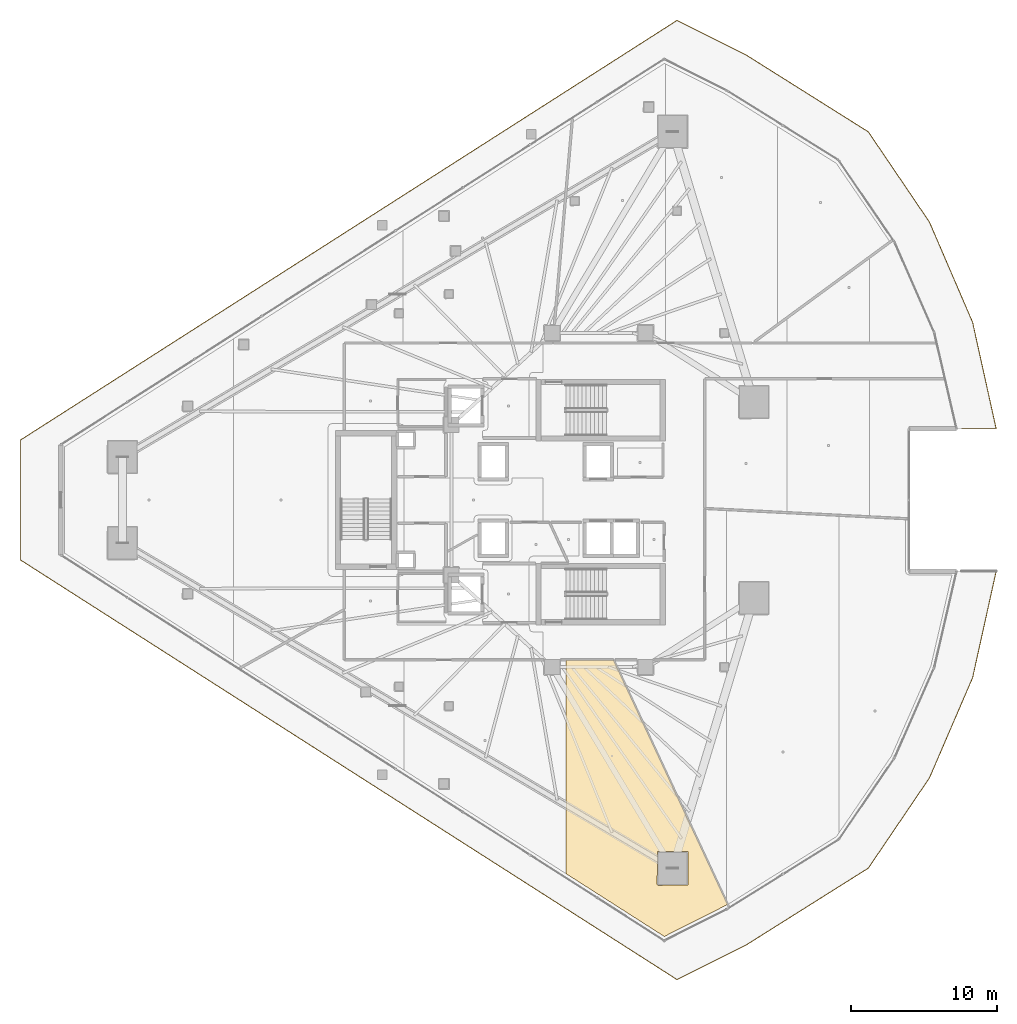
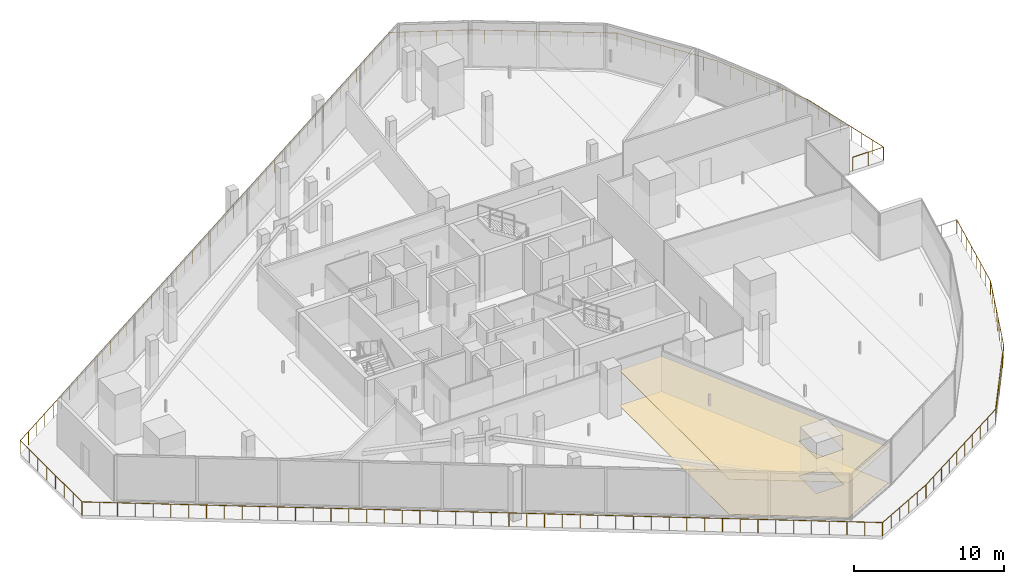
# One storey, part 36 of 40: 2 coverings, 1 railing.
"""IFC4 building model written with IfcOpenShell, lengths in metres."""

from ifc_helpers import new_model, si_unit, direction, frame, origin, origin_2d, place, context, subcontext, project, spatial, polyline, circle, outline, extrude, material, layer, layer_set, type_object, element, save


model = new_model("IFC4")

# Units and contexts
model_context = context("Model", 3, precision=1e-05, world=origin(), true_north=direction((0.0, 1.0)))
body_context = subcontext(model_context, "Body", "Model", "MODEL_VIEW")
ifc_project = project(units=[si_unit("LENGTHUNIT", "METRE"), si_unit("AREAUNIT", "SQUARE_METRE"), si_unit("VOLUMEUNIT", "CUBIC_METRE"), si_unit("PLANEANGLEUNIT", "RADIAN"), si_unit("MASSUNIT", "GRAM", prefix="KILO")], contexts=[model_context])

# Site, building, storey
site_placement = place(None, origin())
site = spatial("IfcSite", under=ifc_project, at=site_placement, CompositionType="ELEMENT")
building_placement = place(site_placement, origin())
building = spatial("IfcBuilding", under=site, at=building_placement, Name="Qorvath Tower", CompositionType="ELEMENT")
storey_placement = place(building_placement, frame((0.0, 0.0, 138.14990234375)))
storey = spatial("IfcBuildingStorey", under=building, at=storey_placement, Name="L31", CompositionType="ELEMENT", Elevation=138.14990234375)

# Coverings
ifc_material_1 = material(Name="Acoustic mineral fibre ceiling tile", Category="gypsum")
ifc_layer_1 = layer(ifc_material_1, 0.030029296875)
ifc_layer_set_1 = layer_set([ifc_layer_1], Name="COV-CEIL")
covering_type_1 = type_object("IfcCoveringType", Name="COV-CEIL", PredefinedType="CEILING", material=ifc_layer_set_1)
covering_1_placement = place(storey_placement, frame((0.0, 0.0, 2.85009765625)))
element("IfcCovering", 1, at=covering_1_placement, inside=storey, type_object=covering_type_1, Name="L31 Suspended Acoustic Ceiling 016", PredefinedType="CEILING", context=body_context, shape_type="SweptSolid", body=[
    extrude(outline(polyline([(-11.5751953125, -27.7236328125), (-19.392333984375, -10.962890625), (-22.65771484375, -10.962890625), (-22.65771484375, -25.60546875), (-15.91552734375, -29.914794921875), (-11.5751953125, -27.7236328125)]), holes=[polyline([(-16.404296875, -26.34619140625), (-16.38671875, -24.103759765625), (-14.3017578125, -24.103759765625), (-14.3017578125, -26.388427734375), (-16.34423828125, -26.406005859375), (-16.404296875, -26.34619140625)])]), origin(), (0.0, 0.0, 1.0), 0.030029296875),
])
ifc_material_2 = material(Name="Low-VOC modular carpet tile", Category="textile")
ifc_layer_2 = layer(ifc_material_2, 0.014892578125)
ifc_layer_set_2 = layer_set([ifc_layer_2], Name="COV-FLOOR-CPT")
covering_type_2 = type_object("IfcCoveringType", Name="COV-FLOOR-CPT", PredefinedType="FLOORING", material=ifc_layer_set_2)
covering_2_placement = place(storey_placement, origin())
element("IfcCovering", 2, at=covering_2_placement, inside=storey, type_object=covering_type_2, Name="L31 Floor Finish 016", PredefinedType="FLOORING", context=body_context, shape_type="SweptSolid", body=[
    extrude(outline(polyline([(-11.5751953125, -27.7236328125), (-19.392333984375, -10.962890625), (-22.65771484375, -10.962890625), (-22.65771484375, -25.60546875), (-15.91552734375, -29.914794921875), (-11.5751953125, -27.7236328125)]), holes=[polyline([(-16.404296875, -26.34619140625), (-16.38671875, -24.103759765625), (-14.3017578125, -24.103759765625), (-14.3017578125, -26.388427734375), (-16.34423828125, -26.406005859375), (-16.404296875, -26.34619140625)])]), origin(), (0.0, 0.0, 1.0), 0.01513671875),
])

# Railing
ifc_material_3 = material(Name="Laminated safety glass and stainless steel AISI 316", Category="steel")
railing_type = type_object("IfcRailingType", Name="RL-EXT-GRD", PredefinedType="GUARDRAIL", material=ifc_material_3)
railing_placement = place(storey_placement, frame((6.833984375, -4.881591796875, 0.0)))
element("IfcRailing", 3, at=railing_placement, inside=storey, type_object=railing_type, Name="Loggia Perimeter Guardrail L31-1.1", PredefinedType="GUARDRAIL", context=body_context, shape_type="SweptSolid", body=[
    extrude(circle(Radius=0.02392578125, at=origin_2d()), frame((0.0, 0.0, 1.09619140625), z_axis=(-0.216103917882, -0.976370368598, 0.0), x_axis=(0.976370368598, -0.216103917882, 0.0)), (0.0, 0.0, 1.0), 7.4755859375),
    extrude(circle(Radius=0.02392578125, at=origin_2d()), frame((-1.615478515625, -7.298828125, 1.09619140625), z_axis=(-0.395483606656, -0.91847303546, 0.0), x_axis=(0.91847303546, -0.395483606656, 0.0)), (0.0, 0.0, 1.0), 7.47509765625),
    extrude(circle(Radius=0.02392578125, at=origin_2d()), frame((-4.57177734375, -14.16455078125, 1.09619140625), z_axis=(-0.560835146382, -0.82792749597, 0.0), x_axis=(0.82792749597, -0.560835146382, 0.0)), (0.0, 0.0, 1.0), 7.475341796875),
    extrude(circle(Radius=0.02392578125, at=origin_2d()), frame((-8.76416015625, -20.353515625, 1.09619140625), z_axis=(-0.8464853898, -0.53241195033, 0.0), x_axis=(0.53241195033, -0.8464853898, 0.0)), (0.0, 0.0, 1.0), 9.940673828125),
    extrude(circle(Radius=0.02392578125, at=origin_2d()), frame((-17.1787109375, -25.64599609375, 1.09619140625), z_axis=(-0.894445787706, -0.447176400154, 0.0), x_axis=(0.447176400154, -0.894445787706, 0.0)), (0.0, 0.0, 1.0), 5.2509765625),
    extrude(circle(Radius=0.02392578125, at=origin_2d()), frame((-21.87548828125, -27.994140625, 1.09619140625), z_axis=(-0.842605755812, 0.538530909301, 0.0), x_axis=(-0.538530909301, -0.842605755812, 0.0)), (0.0, 0.0, 1.0), 53.416015625),
    extrude(circle(Radius=0.02392578125, at=origin_2d()), frame((-66.884033203125, 0.77197265625, 1.09619140625), z_axis=(0.0, 1.0, 0.0), x_axis=(-1.0, 0.0, 0.0)), (0.0, 0.0, 1.0), 8.21923828125),
    extrude(circle(Radius=0.02392578125, at=origin_2d()), frame((-66.884033203125, 8.9912109375, 1.09619140625), z_axis=(0.842605755812, 0.538530909301, 0.0), x_axis=(-0.538530909301, 0.842605755812, 0.0)), (0.0, 0.0, 1.0), 53.416015625),
    extrude(circle(Radius=0.02392578125, at=origin_2d()), frame((-21.87548828125, 37.75732421875, 1.09619140625), z_axis=(0.894445787706, -0.447176400154, 0.0), x_axis=(0.447176400154, 0.894445787706, 0.0)), (0.0, 0.0, 1.0), 5.2509765625),
    extrude(circle(Radius=0.02392578125, at=origin_2d()), frame((-17.1787109375, 35.4091796875, 1.09619140625), z_axis=(0.8464853898, -0.53241195033, 0.0), x_axis=(0.53241195033, 0.8464853898, 0.0)), (0.0, 0.0, 1.0), 9.940673828125),
    extrude(circle(Radius=0.02392578125, at=origin_2d()), frame((-8.76416015625, 30.11669921875, 1.09619140625), z_axis=(0.560835146382, -0.82792749597, 0.0), x_axis=(0.82792749597, 0.560835146382, 0.0)), (0.0, 0.0, 1.0), 7.475341796875),
    extrude(circle(Radius=0.02392578125, at=origin_2d()), frame((-4.57177734375, 23.927734375, 1.09619140625), z_axis=(0.395483606656, -0.91847303546, 0.0), x_axis=(0.91847303546, 0.395483606656, 0.0)), (0.0, 0.0, 1.0), 7.47509765625),
    extrude(circle(Radius=0.02392578125, at=origin_2d()), frame((-1.615478515625, 17.06201171875, 1.09619140625), z_axis=(0.216103917882, -0.976370368598, 0.0), x_axis=(0.976370368598, 0.216103917882, 0.0)), (0.0, 0.0, 1.0), 7.4755859375),
    extrude(circle(Radius=0.02392578125, at=origin_2d()), frame((0.0, 9.76318359375, 1.09619140625), z_axis=(-1.0, 0.0, 0.0), x_axis=(0.0, -1.0, 0.0)), (0.0, 0.0, 1.0), 2.36669921875),
    extrude(circle(Radius=0.02099609375, at=origin_2d()), origin(), (0.0, 0.0, 1.0), 1.072021484375),
    extrude(circle(Radius=0.02099609375, at=origin_2d()), frame((-0.230712890625, -1.042724609375, 0.0)), (0.0, 0.0, 1.0), 1.072021484375),
    extrude(circle(Radius=0.02099609375, at=origin_2d()), frame((-0.461669921875, -2.08544921875, 0.0)), (0.0, 0.0, 1.0), 1.072021484375),
    extrude(circle(Radius=0.02099609375, at=origin_2d()), frame((-0.6923828125, -3.128173828125, 0.0)), (0.0, 0.0, 1.0), 1.072021484375),
    extrude(circle(Radius=0.02099609375, at=origin_2d()), frame((-0.923095703125, -4.170654296875, 0.0)), (0.0, 0.0, 1.0), 1.072021484375),
    extrude(circle(Radius=0.02099609375, at=origin_2d()), frame((-1.15380859375, -5.21337890625, 0.0)), (0.0, 0.0, 1.0), 1.072021484375),
    extrude(circle(Radius=0.02099609375, at=origin_2d()), frame((-1.384765625, -6.256103515625, 0.0)), (0.0, 0.0, 1.0), 1.072021484375),
    extrude(circle(Radius=0.02099609375, at=origin_2d()), frame((-1.615478515625, -7.298828125, 0.0)), (0.0, 0.0, 1.0), 1.072021484375),
    extrude(circle(Radius=0.02099609375, at=origin_2d()), frame((-2.037841796875, -8.279541015625, 0.0)), (0.0, 0.0, 1.0), 1.072021484375),
    extrude(circle(Radius=0.02099609375, at=origin_2d()), frame((-2.460205078125, -9.260498046875, 0.0)), (0.0, 0.0, 1.0), 1.072021484375),
    extrude(circle(Radius=0.02099609375, at=origin_2d()), frame((-2.882568359375, -10.2412109375, 0.0)), (0.0, 0.0, 1.0), 1.072021484375),
    extrude(circle(Radius=0.02099609375, at=origin_2d()), frame((-3.3046875, -11.22216796875, 0.0)), (0.0, 0.0, 1.0), 1.072021484375),
    extrude(circle(Radius=0.02099609375, at=origin_2d()), frame((-3.72705078125, -12.202880859375, 0.0)), (0.0, 0.0, 1.0), 1.072021484375),
    extrude(circle(Radius=0.02099609375, at=origin_2d()), frame((-4.1494140625, -13.183837890625, 0.0)), (0.0, 0.0, 1.0), 1.072021484375),
    extrude(circle(Radius=0.02099609375, at=origin_2d()), frame((-4.57177734375, -14.16455078125, 0.0)), (0.0, 0.0, 1.0), 1.072021484375),
    extrude(circle(Radius=0.02099609375, at=origin_2d()), frame((-5.170654296875, -15.048583984375, 0.0)), (0.0, 0.0, 1.0), 1.072021484375),
    extrude(circle(Radius=0.02099609375, at=origin_2d()), frame((-5.76953125, -15.932861328125, 0.0)), (0.0, 0.0, 1.0), 1.072021484375),
    extrude(circle(Radius=0.02099609375, at=origin_2d()), frame((-6.368408203125, -16.81689453125, 0.0)), (0.0, 0.0, 1.0), 1.072021484375),
    extrude(circle(Radius=0.02099609375, at=origin_2d()), frame((-6.967529296875, -17.701171875, 0.0)), (0.0, 0.0, 1.0), 1.072021484375),
    extrude(circle(Radius=0.02099609375, at=origin_2d()), frame((-7.56640625, -18.585205078125, 0.0)), (0.0, 0.0, 1.0), 1.072021484375),
    extrude(circle(Radius=0.02099609375, at=origin_2d()), frame((-8.165283203125, -19.469482421875, 0.0)), (0.0, 0.0, 1.0), 1.072021484375),
    extrude(circle(Radius=0.02099609375, at=origin_2d()), frame((-8.76416015625, -20.353515625, 0.0)), (0.0, 0.0, 1.0), 1.072021484375),
    extrude(circle(Radius=0.02099609375, at=origin_2d()), frame((-9.69921875, -20.941650390625, 0.0)), (0.0, 0.0, 1.0), 1.072021484375),
    extrude(circle(Radius=0.02099609375, at=origin_2d()), frame((-10.634033203125, -21.529541015625, 0.0)), (0.0, 0.0, 1.0), 1.072021484375),
    extrude(circle(Radius=0.02099609375, at=origin_2d()), frame((-11.569091796875, -22.11767578125, 0.0)), (0.0, 0.0, 1.0), 1.072021484375),
    extrude(circle(Radius=0.02099609375, at=origin_2d()), frame((-12.50390625, -22.705810546875, 0.0)), (0.0, 0.0, 1.0), 1.072021484375),
    extrude(circle(Radius=0.02099609375, at=origin_2d()), frame((-13.43896484375, -23.293701171875, 0.0)), (0.0, 0.0, 1.0), 1.072021484375),
    extrude(circle(Radius=0.02099609375, at=origin_2d()), frame((-14.373779296875, -23.8818359375, 0.0)), (0.0, 0.0, 1.0), 1.072021484375),
    extrude(circle(Radius=0.02099609375, at=origin_2d()), frame((-15.308837890625, -24.469970703125, 0.0)), (0.0, 0.0, 1.0), 1.072021484375),
    extrude(circle(Radius=0.02099609375, at=origin_2d()), frame((-16.24365234375, -25.057861328125, 0.0)), (0.0, 0.0, 1.0), 1.072021484375),
    extrude(circle(Radius=0.02099609375, at=origin_2d()), frame((-17.1787109375, -25.64599609375, 0.0)), (0.0, 0.0, 1.0), 1.072021484375),
    extrude(circle(Radius=0.02099609375, at=origin_2d()), frame((-18.1181640625, -26.11572265625, 0.0)), (0.0, 0.0, 1.0), 1.072021484375),
    extrude(circle(Radius=0.02099609375, at=origin_2d()), frame((-19.057373046875, -26.585205078125, 0.0)), (0.0, 0.0, 1.0), 1.072021484375),
    extrude(circle(Radius=0.02099609375, at=origin_2d()), frame((-19.996826171875, -27.054931640625, 0.0)), (0.0, 0.0, 1.0), 1.072021484375),
    extrude(circle(Radius=0.02099609375, at=origin_2d()), frame((-20.93603515625, -27.5244140625, 0.0)), (0.0, 0.0, 1.0), 1.072021484375),
    extrude(circle(Radius=0.02099609375, at=origin_2d()), frame((-21.87548828125, -27.994140625, 0.0)), (0.0, 0.0, 1.0), 1.072021484375),
    extrude(circle(Radius=0.02099609375, at=origin_2d()), frame((-22.875732421875, -27.35498046875, 0.0)), (0.0, 0.0, 1.0), 1.072021484375),
    extrude(circle(Radius=0.02099609375, at=origin_2d()), frame((-23.8759765625, -26.715576171875, 0.0)), (0.0, 0.0, 1.0), 1.072021484375),
    extrude(circle(Radius=0.02099609375, at=origin_2d()), frame((-24.8759765625, -26.076416015625, 0.0)), (0.0, 0.0, 1.0), 1.072021484375),
    extrude(circle(Radius=0.02099609375, at=origin_2d()), frame((-25.876220703125, -25.437255859375, 0.0)), (0.0, 0.0, 1.0), 1.072021484375),
    extrude(circle(Radius=0.02099609375, at=origin_2d()), frame((-26.87646484375, -24.7978515625, 0.0)), (0.0, 0.0, 1.0), 1.072021484375),
    extrude(circle(Radius=0.02099609375, at=origin_2d()), frame((-27.876708984375, -24.15869140625, 0.0)), (0.0, 0.0, 1.0), 1.072021484375),
    extrude(circle(Radius=0.02099609375, at=origin_2d()), frame((-28.876708984375, -23.51953125, 0.0)), (0.0, 0.0, 1.0), 1.072021484375),
    extrude(circle(Radius=0.02099609375, at=origin_2d()), frame((-29.876953125, -22.880126953125, 0.0)), (0.0, 0.0, 1.0), 1.072021484375),
    extrude(circle(Radius=0.02099609375, at=origin_2d()), frame((-30.877197265625, -22.240966796875, 0.0)), (0.0, 0.0, 1.0), 1.072021484375),
    extrude(circle(Radius=0.02099609375, at=origin_2d()), frame((-31.87744140625, -21.6015625, 0.0)), (0.0, 0.0, 1.0), 1.072021484375),
    extrude(circle(Radius=0.02099609375, at=origin_2d()), frame((-32.877685546875, -20.96240234375, 0.0)), (0.0, 0.0, 1.0), 1.072021484375),
    extrude(circle(Radius=0.02099609375, at=origin_2d()), frame((-33.877685546875, -20.3232421875, 0.0)), (0.0, 0.0, 1.0), 1.072021484375),
    extrude(circle(Radius=0.02099609375, at=origin_2d()), frame((-34.8779296875, -19.683837890625, 0.0)), (0.0, 0.0, 1.0), 1.072021484375),
    extrude(circle(Radius=0.02099609375, at=origin_2d()), frame((-35.878173828125, -19.044677734375, 0.0)), (0.0, 0.0, 1.0), 1.072021484375),
    extrude(circle(Radius=0.02099609375, at=origin_2d()), frame((-36.87841796875, -18.405517578125, 0.0)), (0.0, 0.0, 1.0), 1.072021484375),
    extrude(circle(Radius=0.02099609375, at=origin_2d()), frame((-37.87841796875, -17.76611328125, 0.0)), (0.0, 0.0, 1.0), 1.072021484375),
    extrude(circle(Radius=0.02099609375, at=origin_2d()), frame((-38.878662109375, -17.126953125, 0.0)), (0.0, 0.0, 1.0), 1.072021484375),
    extrude(circle(Radius=0.02099609375, at=origin_2d()), frame((-39.87890625, -16.48779296875, 0.0)), (0.0, 0.0, 1.0), 1.072021484375),
    extrude(circle(Radius=0.02099609375, at=origin_2d()), frame((-40.879150390625, -15.848388671875, 0.0)), (0.0, 0.0, 1.0), 1.072021484375),
    extrude(circle(Radius=0.02099609375, at=origin_2d()), frame((-41.87939453125, -15.209228515625, 0.0)), (0.0, 0.0, 1.0), 1.072021484375),
    extrude(circle(Radius=0.02099609375, at=origin_2d()), frame((-42.87939453125, -14.570068359375, 0.0)), (0.0, 0.0, 1.0), 1.072021484375),
    extrude(circle(Radius=0.02099609375, at=origin_2d()), frame((-43.879638671875, -13.9306640625, 0.0)), (0.0, 0.0, 1.0), 1.072021484375),
    extrude(circle(Radius=0.02099609375, at=origin_2d()), frame((-44.8798828125, -13.29150390625, 0.0)), (0.0, 0.0, 1.0), 1.072021484375),
    extrude(circle(Radius=0.02099609375, at=origin_2d()), frame((-45.880126953125, -12.652099609375, 0.0)), (0.0, 0.0, 1.0), 1.072021484375),
    extrude(circle(Radius=0.02099609375, at=origin_2d()), frame((-46.880126953125, -12.012939453125, 0.0)), (0.0, 0.0, 1.0), 1.072021484375),
    extrude(circle(Radius=0.02099609375, at=origin_2d()), frame((-47.88037109375, -11.373779296875, 0.0)), (0.0, 0.0, 1.0), 1.072021484375),
    extrude(circle(Radius=0.02099609375, at=origin_2d()), frame((-48.880615234375, -10.734375, 0.0)), (0.0, 0.0, 1.0), 1.072021484375),
    extrude(circle(Radius=0.02099609375, at=origin_2d()), frame((-49.880859375, -10.09521484375, 0.0)), (0.0, 0.0, 1.0), 1.072021484375),
    extrude(circle(Radius=0.02099609375, at=origin_2d()), frame((-50.881103515625, -9.4560546875, 0.0)), (0.0, 0.0, 1.0), 1.072021484375),
    extrude(circle(Radius=0.02099609375, at=origin_2d()), frame((-51.881103515625, -8.816650390625, 0.0)), (0.0, 0.0, 1.0), 1.072021484375),
    extrude(circle(Radius=0.02099609375, at=origin_2d()), frame((-52.88134765625, -8.177490234375, 0.0)), (0.0, 0.0, 1.0), 1.072021484375),
    extrude(circle(Radius=0.02099609375, at=origin_2d()), frame((-53.881591796875, -7.538330078125, 0.0)), (0.0, 0.0, 1.0), 1.072021484375),
    extrude(circle(Radius=0.02099609375, at=origin_2d()), frame((-54.8818359375, -6.89892578125, 0.0)), (0.0, 0.0, 1.0), 1.072021484375),
    extrude(circle(Radius=0.02099609375, at=origin_2d()), frame((-55.8818359375, -6.259765625, 0.0)), (0.0, 0.0, 1.0), 1.072021484375),
    extrude(circle(Radius=0.02099609375, at=origin_2d()), frame((-56.882080078125, -5.62060546875, 0.0)), (0.0, 0.0, 1.0), 1.072021484375),
    extrude(circle(Radius=0.02099609375, at=origin_2d()), frame((-57.88232421875, -4.981201171875, 0.0)), (0.0, 0.0, 1.0), 1.072021484375),
    extrude(circle(Radius=0.02099609375, at=origin_2d()), frame((-58.882568359375, -4.342041015625, 0.0)), (0.0, 0.0, 1.0), 1.072021484375),
    extrude(circle(Radius=0.02099609375, at=origin_2d()), frame((-59.8828125, -3.70263671875, 0.0)), (0.0, 0.0, 1.0), 1.072021484375),
    extrude(circle(Radius=0.02099609375, at=origin_2d()), frame((-60.8828125, -3.0634765625, 0.0)), (0.0, 0.0, 1.0), 1.072021484375),
    extrude(circle(Radius=0.02099609375, at=origin_2d()), frame((-61.883056640625, -2.42431640625, 0.0)), (0.0, 0.0, 1.0), 1.072021484375),
    extrude(circle(Radius=0.02099609375, at=origin_2d()), frame((-62.88330078125, -1.784912109375, 0.0)), (0.0, 0.0, 1.0), 1.072021484375),
    extrude(circle(Radius=0.02099609375, at=origin_2d()), frame((-63.883544921875, -1.145751953125, 0.0)), (0.0, 0.0, 1.0), 1.072021484375),
    extrude(circle(Radius=0.02099609375, at=origin_2d()), frame((-64.883544921875, -0.506591796875, 0.0)), (0.0, 0.0, 1.0), 1.072021484375),
    extrude(circle(Radius=0.02099609375, at=origin_2d()), frame((-65.8837890625, 0.1328125, 0.0)), (0.0, 0.0, 1.0), 1.072021484375),
    extrude(circle(Radius=0.02099609375, at=origin_2d()), frame((-66.884033203125, 0.77197265625, 0.0)), (0.0, 0.0, 1.0), 1.072021484375),
    extrude(circle(Radius=0.02099609375, at=origin_2d()), frame((-66.884033203125, 1.946044921875, 0.0)), (0.0, 0.0, 1.0), 1.072021484375),
    extrude(circle(Radius=0.02099609375, at=origin_2d()), frame((-66.884033203125, 3.120361328125, 0.0)), (0.0, 0.0, 1.0), 1.072021484375),
    extrude(circle(Radius=0.02099609375, at=origin_2d()), frame((-66.884033203125, 4.29443359375, 0.0)), (0.0, 0.0, 1.0), 1.072021484375),
    extrude(circle(Radius=0.02099609375, at=origin_2d()), frame((-66.884033203125, 5.46875, 0.0)), (0.0, 0.0, 1.0), 1.072021484375),
    extrude(circle(Radius=0.02099609375, at=origin_2d()), frame((-66.884033203125, 6.642822265625, 0.0)), (0.0, 0.0, 1.0), 1.072021484375),
    extrude(circle(Radius=0.02099609375, at=origin_2d()), frame((-66.884033203125, 7.817138671875, 0.0)), (0.0, 0.0, 1.0), 1.072021484375),
    extrude(circle(Radius=0.02099609375, at=origin_2d()), frame((-66.884033203125, 8.9912109375, 0.0)), (0.0, 0.0, 1.0), 1.072021484375),
    extrude(circle(Radius=0.02099609375, at=origin_2d()), frame((-65.8837890625, 9.63037109375, 0.0)), (0.0, 0.0, 1.0), 1.072021484375),
    extrude(circle(Radius=0.02099609375, at=origin_2d()), frame((-64.883544921875, 10.269775390625, 0.0)), (0.0, 0.0, 1.0), 1.072021484375),
    extrude(circle(Radius=0.02099609375, at=origin_2d()), frame((-63.883544921875, 10.908935546875, 0.0)), (0.0, 0.0, 1.0), 1.072021484375),
    extrude(circle(Radius=0.02099609375, at=origin_2d()), frame((-62.88330078125, 11.548095703125, 0.0)), (0.0, 0.0, 1.0), 1.072021484375),
    extrude(circle(Radius=0.02099609375, at=origin_2d()), frame((-61.883056640625, 12.1875, 0.0)), (0.0, 0.0, 1.0), 1.072021484375),
    extrude(circle(Radius=0.02099609375, at=origin_2d()), frame((-60.8828125, 12.82666015625, 0.0)), (0.0, 0.0, 1.0), 1.072021484375),
    extrude(circle(Radius=0.02099609375, at=origin_2d()), frame((-59.8828125, 13.4658203125, 0.0)), (0.0, 0.0, 1.0), 1.072021484375),
    extrude(circle(Radius=0.02099609375, at=origin_2d()), frame((-58.882568359375, 14.105224609375, 0.0)), (0.0, 0.0, 1.0), 1.072021484375),
    extrude(circle(Radius=0.02099609375, at=origin_2d()), frame((-57.88232421875, 14.744384765625, 0.0)), (0.0, 0.0, 1.0), 1.072021484375),
    extrude(circle(Radius=0.02099609375, at=origin_2d()), frame((-56.882080078125, 15.3837890625, 0.0)), (0.0, 0.0, 1.0), 1.072021484375),
    extrude(circle(Radius=0.02099609375, at=origin_2d()), frame((-55.8818359375, 16.02294921875, 0.0)), (0.0, 0.0, 1.0), 1.072021484375),
    extrude(circle(Radius=0.02099609375, at=origin_2d()), frame((-54.8818359375, 16.662109375, 0.0)), (0.0, 0.0, 1.0), 1.072021484375),
    extrude(circle(Radius=0.02099609375, at=origin_2d()), frame((-53.881591796875, 17.301513671875, 0.0)), (0.0, 0.0, 1.0), 1.072021484375),
    extrude(circle(Radius=0.02099609375, at=origin_2d()), frame((-52.88134765625, 17.940673828125, 0.0)), (0.0, 0.0, 1.0), 1.072021484375),
    extrude(circle(Radius=0.02099609375, at=origin_2d()), frame((-51.881103515625, 18.579833984375, 0.0)), (0.0, 0.0, 1.0), 1.072021484375),
    extrude(circle(Radius=0.02099609375, at=origin_2d()), frame((-50.881103515625, 19.21923828125, 0.0)), (0.0, 0.0, 1.0), 1.072021484375),
    extrude(circle(Radius=0.02099609375, at=origin_2d()), frame((-49.880859375, 19.8583984375, 0.0)), (0.0, 0.0, 1.0), 1.072021484375),
    extrude(circle(Radius=0.02099609375, at=origin_2d()), frame((-48.880615234375, 20.49755859375, 0.0)), (0.0, 0.0, 1.0), 1.072021484375),
    extrude(circle(Radius=0.02099609375, at=origin_2d()), frame((-47.88037109375, 21.136962890625, 0.0)), (0.0, 0.0, 1.0), 1.072021484375),
    extrude(circle(Radius=0.02099609375, at=origin_2d()), frame((-46.880126953125, 21.776123046875, 0.0)), (0.0, 0.0, 1.0), 1.072021484375),
    extrude(circle(Radius=0.02099609375, at=origin_2d()), frame((-45.880126953125, 22.415283203125, 0.0)), (0.0, 0.0, 1.0), 1.072021484375),
    extrude(circle(Radius=0.02099609375, at=origin_2d()), frame((-44.8798828125, 23.0546875, 0.0)), (0.0, 0.0, 1.0), 1.072021484375),
    extrude(circle(Radius=0.02099609375, at=origin_2d()), frame((-43.879638671875, 23.69384765625, 0.0)), (0.0, 0.0, 1.0), 1.072021484375),
    extrude(circle(Radius=0.02099609375, at=origin_2d()), frame((-42.87939453125, 24.333251953125, 0.0)), (0.0, 0.0, 1.0), 1.072021484375),
    extrude(circle(Radius=0.02099609375, at=origin_2d()), frame((-41.87939453125, 24.972412109375, 0.0)), (0.0, 0.0, 1.0), 1.072021484375),
    extrude(circle(Radius=0.02099609375, at=origin_2d()), frame((-40.879150390625, 25.611572265625, 0.0)), (0.0, 0.0, 1.0), 1.072021484375),
    extrude(circle(Radius=0.02099609375, at=origin_2d()), frame((-39.87890625, 26.2509765625, 0.0)), (0.0, 0.0, 1.0), 1.072021484375),
    extrude(circle(Radius=0.02099609375, at=origin_2d()), frame((-38.878662109375, 26.89013671875, 0.0)), (0.0, 0.0, 1.0), 1.072021484375),
    extrude(circle(Radius=0.02099609375, at=origin_2d()), frame((-37.87841796875, 27.529296875, 0.0)), (0.0, 0.0, 1.0), 1.072021484375),
    extrude(circle(Radius=0.02099609375, at=origin_2d()), frame((-36.87841796875, 28.168701171875, 0.0)), (0.0, 0.0, 1.0), 1.072021484375),
    extrude(circle(Radius=0.02099609375, at=origin_2d()), frame((-35.878173828125, 28.807861328125, 0.0)), (0.0, 0.0, 1.0), 1.072021484375),
    extrude(circle(Radius=0.02099609375, at=origin_2d()), frame((-34.8779296875, 29.447021484375, 0.0)), (0.0, 0.0, 1.0), 1.072021484375),
    extrude(circle(Radius=0.02099609375, at=origin_2d()), frame((-33.877685546875, 30.08642578125, 0.0)), (0.0, 0.0, 1.0), 1.072021484375),
    extrude(circle(Radius=0.02099609375, at=origin_2d()), frame((-32.877685546875, 30.7255859375, 0.0)), (0.0, 0.0, 1.0), 1.072021484375),
    extrude(circle(Radius=0.02099609375, at=origin_2d()), frame((-31.87744140625, 31.36474609375, 0.0)), (0.0, 0.0, 1.0), 1.072021484375),
    extrude(circle(Radius=0.02099609375, at=origin_2d()), frame((-30.877197265625, 32.004150390625, 0.0)), (0.0, 0.0, 1.0), 1.072021484375),
    extrude(circle(Radius=0.02099609375, at=origin_2d()), frame((-29.876953125, 32.643310546875, 0.0)), (0.0, 0.0, 1.0), 1.072021484375),
    extrude(circle(Radius=0.02099609375, at=origin_2d()), frame((-28.876708984375, 33.28271484375, 0.0)), (0.0, 0.0, 1.0), 1.072021484375),
    extrude(circle(Radius=0.02099609375, at=origin_2d()), frame((-27.876708984375, 33.921875, 0.0)), (0.0, 0.0, 1.0), 1.072021484375),
    extrude(circle(Radius=0.02099609375, at=origin_2d()), frame((-26.87646484375, 34.56103515625, 0.0)), (0.0, 0.0, 1.0), 1.072021484375),
    extrude(circle(Radius=0.02099609375, at=origin_2d()), frame((-25.876220703125, 35.200439453125, 0.0)), (0.0, 0.0, 1.0), 1.072021484375),
    extrude(circle(Radius=0.02099609375, at=origin_2d()), frame((-24.8759765625, 35.839599609375, 0.0)), (0.0, 0.0, 1.0), 1.072021484375),
    extrude(circle(Radius=0.02099609375, at=origin_2d()), frame((-23.8759765625, 36.478759765625, 0.0)), (0.0, 0.0, 1.0), 1.072021484375),
    extrude(circle(Radius=0.02099609375, at=origin_2d()), frame((-22.875732421875, 37.1181640625, 0.0)), (0.0, 0.0, 1.0), 1.072021484375),
    extrude(circle(Radius=0.02099609375, at=origin_2d()), frame((-21.87548828125, 37.75732421875, 0.0)), (0.0, 0.0, 1.0), 1.072021484375),
    extrude(circle(Radius=0.02099609375, at=origin_2d()), frame((-20.93603515625, 37.28759765625, 0.0)), (0.0, 0.0, 1.0), 1.072021484375),
    extrude(circle(Radius=0.02099609375, at=origin_2d()), frame((-19.996826171875, 36.818115234375, 0.0)), (0.0, 0.0, 1.0), 1.072021484375),
    extrude(circle(Radius=0.02099609375, at=origin_2d()), frame((-19.057373046875, 36.348388671875, 0.0)), (0.0, 0.0, 1.0), 1.072021484375),
    extrude(circle(Radius=0.02099609375, at=origin_2d()), frame((-18.1181640625, 35.87890625, 0.0)), (0.0, 0.0, 1.0), 1.072021484375),
    extrude(circle(Radius=0.02099609375, at=origin_2d()), frame((-17.1787109375, 35.4091796875, 0.0)), (0.0, 0.0, 1.0), 1.072021484375),
    extrude(circle(Radius=0.02099609375, at=origin_2d()), frame((-16.24365234375, 34.821044921875, 0.0)), (0.0, 0.0, 1.0), 1.072021484375),
    extrude(circle(Radius=0.02099609375, at=origin_2d()), frame((-15.308837890625, 34.233154296875, 0.0)), (0.0, 0.0, 1.0), 1.072021484375),
    extrude(circle(Radius=0.02099609375, at=origin_2d()), frame((-14.373779296875, 33.64501953125, 0.0)), (0.0, 0.0, 1.0), 1.072021484375),
    extrude(circle(Radius=0.02099609375, at=origin_2d()), frame((-13.43896484375, 33.056884765625, 0.0)), (0.0, 0.0, 1.0), 1.072021484375),
    extrude(circle(Radius=0.02099609375, at=origin_2d()), frame((-12.50390625, 32.468994140625, 0.0)), (0.0, 0.0, 1.0), 1.072021484375),
    extrude(circle(Radius=0.02099609375, at=origin_2d()), frame((-11.569091796875, 31.880859375, 0.0)), (0.0, 0.0, 1.0), 1.072021484375),
    extrude(circle(Radius=0.02099609375, at=origin_2d()), frame((-10.634033203125, 31.292724609375, 0.0)), (0.0, 0.0, 1.0), 1.072021484375),
    extrude(circle(Radius=0.02099609375, at=origin_2d()), frame((-9.69921875, 30.704833984375, 0.0)), (0.0, 0.0, 1.0), 1.072021484375),
    extrude(circle(Radius=0.02099609375, at=origin_2d()), frame((-8.76416015625, 30.11669921875, 0.0)), (0.0, 0.0, 1.0), 1.072021484375),
    extrude(circle(Radius=0.02099609375, at=origin_2d()), frame((-8.165283203125, 29.232666015625, 0.0)), (0.0, 0.0, 1.0), 1.072021484375),
    extrude(circle(Radius=0.02099609375, at=origin_2d()), frame((-7.56640625, 28.348388671875, 0.0)), (0.0, 0.0, 1.0), 1.072021484375),
    extrude(circle(Radius=0.02099609375, at=origin_2d()), frame((-6.967529296875, 27.46435546875, 0.0)), (0.0, 0.0, 1.0), 1.072021484375),
    extrude(circle(Radius=0.02099609375, at=origin_2d()), frame((-6.368408203125, 26.580078125, 0.0)), (0.0, 0.0, 1.0), 1.072021484375),
    extrude(circle(Radius=0.02099609375, at=origin_2d()), frame((-5.76953125, 25.696044921875, 0.0)), (0.0, 0.0, 1.0), 1.072021484375),
    extrude(circle(Radius=0.02099609375, at=origin_2d()), frame((-5.170654296875, 24.811767578125, 0.0)), (0.0, 0.0, 1.0), 1.072021484375),
    extrude(circle(Radius=0.02099609375, at=origin_2d()), frame((-4.57177734375, 23.927734375, 0.0)), (0.0, 0.0, 1.0), 1.072021484375),
    extrude(circle(Radius=0.02099609375, at=origin_2d()), frame((-4.1494140625, 22.947021484375, 0.0)), (0.0, 0.0, 1.0), 1.072021484375),
    extrude(circle(Radius=0.02099609375, at=origin_2d()), frame((-3.72705078125, 21.966064453125, 0.0)), (0.0, 0.0, 1.0), 1.072021484375),
    extrude(circle(Radius=0.02099609375, at=origin_2d()), frame((-3.3046875, 20.9853515625, 0.0)), (0.0, 0.0, 1.0), 1.072021484375),
    extrude(circle(Radius=0.02099609375, at=origin_2d()), frame((-2.882568359375, 20.00439453125, 0.0)), (0.0, 0.0, 1.0), 1.072021484375),
    extrude(circle(Radius=0.02099609375, at=origin_2d()), frame((-2.460205078125, 19.023681640625, 0.0)), (0.0, 0.0, 1.0), 1.072021484375),
    extrude(circle(Radius=0.02099609375, at=origin_2d()), frame((-2.037841796875, 18.042724609375, 0.0)), (0.0, 0.0, 1.0), 1.072021484375),
    extrude(circle(Radius=0.02099609375, at=origin_2d()), frame((-1.615478515625, 17.06201171875, 0.0)), (0.0, 0.0, 1.0), 1.072021484375),
    extrude(circle(Radius=0.02099609375, at=origin_2d()), frame((-1.384765625, 16.019287109375, 0.0)), (0.0, 0.0, 1.0), 1.072021484375),
    extrude(circle(Radius=0.02099609375, at=origin_2d()), frame((-1.15380859375, 14.9765625, 0.0)), (0.0, 0.0, 1.0), 1.072021484375),
    extrude(circle(Radius=0.02099609375, at=origin_2d()), frame((-0.923095703125, 13.933837890625, 0.0)), (0.0, 0.0, 1.0), 1.072021484375),
    extrude(circle(Radius=0.02099609375, at=origin_2d()), frame((-0.6923828125, 12.891357421875, 0.0)), (0.0, 0.0, 1.0), 1.072021484375),
    extrude(circle(Radius=0.02099609375, at=origin_2d()), frame((-0.461669921875, 11.8486328125, 0.0)), (0.0, 0.0, 1.0), 1.072021484375),
    extrude(circle(Radius=0.02099609375, at=origin_2d()), frame((-0.230712890625, 10.805908203125, 0.0)), (0.0, 0.0, 1.0), 1.072021484375),
    extrude(circle(Radius=0.02099609375, at=origin_2d()), frame((0.0, 9.76318359375, 0.0)), (0.0, 0.0, 1.0), 1.072021484375),
    extrude(circle(Radius=0.02099609375, at=origin_2d()), frame((-1.183349609375, 9.76318359375, 0.0)), (0.0, 0.0, 1.0), 1.072021484375),
    extrude(circle(Radius=0.02099609375, at=origin_2d()), frame((-2.36669921875, 9.76318359375, 0.0)), (0.0, 0.0, 1.0), 1.072021484375),
])

save(model, "model.ifc")
